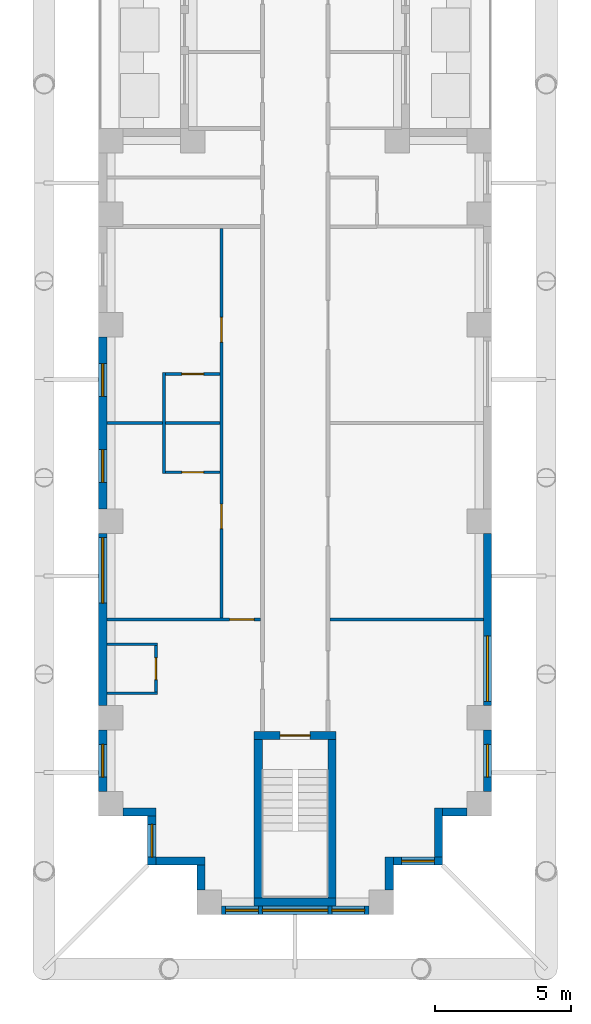
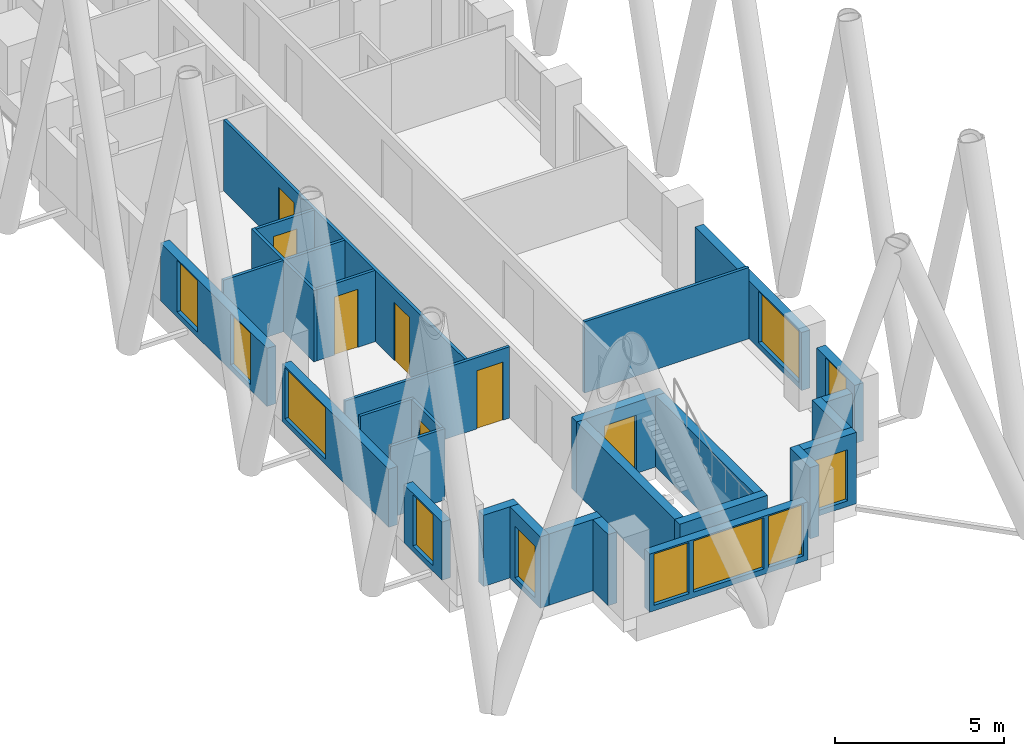
# One storey, part 3 of 14: 28 walls, 11 windows, 7 doors, 18 openings.
"""IFC4 building model written with IfcOpenShell, lengths in metres."""

from ifc_helpers import new_model, si_unit, direction, frame, frame_2d, origin, place, context, subcontext, project, spatial, rectangle, extrude, material, layer, layer_set, type_object, element, fill, save


model = new_model("IFC4")

# Units and contexts
model_context = context("Model", 3, precision=1e-05, world=origin(), true_north=direction((0.0, 1.0)))
body_context = subcontext(model_context, "Body", "Model", "MODEL_VIEW")
ifc_project = project(units=[si_unit("LENGTHUNIT", "METRE"), si_unit("AREAUNIT", "SQUARE_METRE"), si_unit("VOLUMEUNIT", "CUBIC_METRE"), si_unit("PLANEANGLEUNIT", "RADIAN"), si_unit("MASSUNIT", "GRAM", prefix="KILO")], contexts=[model_context])

# Site, building, storey
site_placement = place(None, origin())
site = spatial("IfcSite", under=ifc_project, at=site_placement, CompositionType="ELEMENT")
building_placement = place(site_placement, origin())
building = spatial("IfcBuilding", under=site, at=building_placement, Name="Fustian Cross Tower", CompositionType="ELEMENT")
storey_placement = place(building_placement, frame((0.0, 0.0, 78.89990234375)))
storey = spatial("IfcBuildingStorey", under=building, at=storey_placement, Name="L24", CompositionType="ELEMENT", Elevation=78.89990234375)

# Walls
ifc_material_1 = material(Name="Plasterboard on steel stud", Category="steel")
ifc_layer_1 = layer(ifc_material_1, 0.10009765625)
ifc_layer_set_1 = layer_set([ifc_layer_1], Name="Plasterboard on steel stud")
wall_type_1 = type_object("IfcWallType", Name="PARTITION 100 STUD", PredefinedType="PARTITIONING", material=ifc_layer_set_1)
for number, where, z_axis, x_axis, name in (
    (1, (-6.89990234375, -35.10009765625, 0.0), (0.0, 0.0, 1.0), (1.0, 0.0, 0.0), "Partition 13"),
    (2, (-6.89990234375, -33.300048828125, 0.0), (0.0, 0.0, 1.0), (1.0, 0.0, 0.0), "Partition 14"),
):
    element("IfcWall", number, at=place(storey_placement, frame(where, z_axis=z_axis, x_axis=x_axis)), inside=storey, type_object=wall_type_1, Name=name, PredefinedType="PARTITIONING", context=body_context, shape_type="SweptSolid", body=[
        extrude(rectangle(XDim=1.849853515625, YDim=0.10009765625, at=frame_2d((0.9248046875, 0.0))), origin(), (0.0, 0.0, 1.0), 2.5751953125),
    ])

# Wall, opening, door
wall_1_placement = place(storey_placement, frame((-6.89990234375, -32.39990234375, 0.0), z_axis=(0.0, 0.0, 1.0), x_axis=(1.0, 0.0, 0.0)))
wall_1 = element("IfcWall", 3, at=wall_1_placement, inside=storey, type_object=wall_type_1, Name="Partition 15", PredefinedType="PARTITIONING", context=body_context, shape_type="SweptSolid", body=[
    extrude(rectangle(XDim=5.625, YDim=0.10009765625, at=frame_2d((2.8125, 0.0))), origin(), (0.0, 0.0, 1.0), 2.5751953125),
])
opening_1_placement = place(wall_1_placement, frame((4.5, 0.0, 0.0)))
opening_1 = element("IfcOpeningElement", 4, at=opening_1_placement, cuts=wall_1, Name="Opening D12052", PredefinedType="OPENING", context=body_context, shape_type="SweptSolid", body=[
    extrude(rectangle(XDim=0.89990234375, YDim=2.10009765625, at=frame_2d((0.449951171875, 1.050048828125))), frame((0.0, 0.06005859375, 0.0), z_axis=(0.0, -1.0, 0.0), x_axis=(1.0, 0.0, 0.0)), (0.0, 0.0, 1.0), 0.1201171875),
])
ifc_material_2 = material(Name="Painted timber", Category="wood")
door_type_1 = type_object("IfcDoorType", Name="SWING DOOR 900", OperationType="SINGLE_SWING_LEFT", PredefinedType="DOOR", material=ifc_material_2)
door_1_placement = place(opening_1_placement, origin())
door_1 = element("IfcDoor", 5, at=door_1_placement, inside=storey, type_object=door_type_1, Name="Door D12052", OperationType="SINGLE_SWING_LEFT", OverallHeight=2.10009765625, OverallWidth=0.89990234375, PredefinedType="DOOR", context=body_context, shape_type="SweptSolid", body=[
    extrude(rectangle(XDim=0.89990234375, YDim=2.10009765625, at=frame_2d((0.449951171875, 1.050048828125))), frame((0.0, 0.02490234375, 0.0), z_axis=(0.0, -1.0, 0.0), x_axis=(1.0, 0.0, 0.0)), (0.0, 0.0, 1.0), 0.050048828125),
])
fill(opening_1, door_1)

# Wall
wall_2_placement = place(storey_placement, frame((-6.89990234375, -25.199951171875, 0.0), z_axis=(0.0, 0.0, 1.0), x_axis=(1.0, 0.0, 0.0)))
element("IfcWall", 6, at=wall_2_placement, inside=storey, type_object=wall_type_1, Name="Partition 16", PredefinedType="PARTITIONING", context=body_context, shape_type="SweptSolid", body=[
    extrude(rectangle(XDim=4.14990234375, YDim=0.10009765625, at=frame_2d((2.074951171875, 0.0))), origin(), (0.0, 0.0, 1.0), 2.5751953125),
])

# Wall, opening, door
wall_3_placement = place(storey_placement, frame((-5.10009765625, -35.050048828125, 0.0), z_axis=(0.0, 0.0, 1.0), x_axis=(0.0, 1.0, 0.0)))
wall_3 = element("IfcWall", 7, at=wall_3_placement, inside=storey, type_object=wall_type_1, Name="Partition 20", PredefinedType="PARTITIONING", context=body_context, shape_type="SweptSolid", body=[
    extrude(rectangle(XDim=1.699951171875, YDim=0.10009765625, at=frame_2d((0.85009765625, 0.0))), origin(), (0.0, 0.0, 1.0), 2.5751953125),
])
opening_2_placement = place(wall_3_placement, frame((0.449951171875, 0.0, 0.0)))
opening_2 = element("IfcOpeningElement", 8, at=opening_2_placement, cuts=wall_3, Name="Opening D12048", PredefinedType="OPENING", context=body_context, shape_type="SweptSolid", body=[
    extrude(rectangle(XDim=0.800048828125, YDim=2.10009765625, at=frame_2d((0.39990234375, 1.050048828125))), frame((0.0, 0.06005859375, 0.0), z_axis=(0.0, -1.0, 0.0), x_axis=(1.0, 0.0, 0.0)), (0.0, 0.0, 1.0), 0.1201171875),
])
ifc_material_3 = material(Name="Painted timber", Category="wood")
door_type_2 = type_object("IfcDoorType", Name="SWING DOOR 800", OperationType="SINGLE_SWING_LEFT", PredefinedType="DOOR", material=ifc_material_3)
door_2_placement = place(opening_2_placement, origin())
door_2 = element("IfcDoor", 9, at=door_2_placement, inside=storey, type_object=door_type_2, Name="Door D12048", OperationType="SINGLE_SWING_RIGHT", OverallHeight=2.10009765625, OverallWidth=0.800048828125, PredefinedType="DOOR", context=body_context, shape_type="SweptSolid", body=[
    extrude(rectangle(XDim=0.800048828125, YDim=2.10009765625, at=frame_2d((0.39990234375, 1.050048828125))), frame((0.0, 0.02490234375, 0.0), z_axis=(0.0, -1.0, 0.0), x_axis=(1.0, 0.0, 0.0)), (0.0, 0.0, 1.0), 0.050048828125),
])
fill(opening_2, door_2)

# Wall
wall_4_placement = place(storey_placement, frame((-4.800048828125, -27.050048828125, 0.0), z_axis=(0.0, 0.0, 1.0), x_axis=(0.0, 1.0, 0.0)))
element("IfcWall", 10, at=wall_4_placement, inside=storey, type_object=wall_type_1, Name="Partition 22", PredefinedType="PARTITIONING", context=body_context, shape_type="SweptSolid", body=[
    extrude(rectangle(XDim=3.699951171875, YDim=0.10009765625, at=frame_2d((1.85009765625, 0.0))), origin(), (0.0, 0.0, 1.0), 2.5751953125),
])

# Wall, opening, door
wall_5_placement = place(storey_placement, frame((-4.75, -27.0, 0.0), z_axis=(0.0, 0.0, 1.0), x_axis=(1.0, 0.0, 0.0)))
wall_5 = element("IfcWall", 11, at=wall_5_placement, inside=storey, type_object=wall_type_1, Name="Partition 23", PredefinedType="PARTITIONING", context=body_context, shape_type="SweptSolid", body=[
    extrude(rectangle(XDim=2.0, YDim=0.10009765625, at=frame_2d((1.0, 0.0))), origin(), (0.0, 0.0, 1.0), 2.5751953125),
])
opening_3_placement = place(wall_5_placement, frame((0.60009765625, 0.0, 0.0)))
opening_3 = element("IfcOpeningElement", 12, at=opening_3_placement, cuts=wall_5, Name="Opening D12054", PredefinedType="OPENING", context=body_context, shape_type="SweptSolid", body=[
    extrude(rectangle(XDim=0.800048828125, YDim=2.10009765625, at=frame_2d((0.39990234375, 1.050048828125))), frame((0.0, 0.06005859375, 0.0), z_axis=(0.0, -1.0, 0.0), x_axis=(1.0, 0.0, 0.0)), (0.0, 0.0, 1.0), 0.1201171875),
])
door_3_placement = place(opening_3_placement, origin())
door_3 = element("IfcDoor", 13, at=door_3_placement, inside=storey, type_object=door_type_2, Name="Door D12054", OperationType="SINGLE_SWING_LEFT", OverallHeight=2.10009765625, OverallWidth=0.800048828125, PredefinedType="DOOR", context=body_context, shape_type="SweptSolid", body=[
    extrude(rectangle(XDim=0.800048828125, YDim=2.10009765625, at=frame_2d((0.39990234375, 1.050048828125))), frame((0.0, 0.02490234375, 0.0), z_axis=(0.0, -1.0, 0.0), x_axis=(1.0, 0.0, 0.0)), (0.0, 0.0, 1.0), 0.050048828125),
])
fill(opening_3, door_3)

wall_6_placement = place(storey_placement, frame((-4.75, -23.39990234375, 0.0), z_axis=(0.0, 0.0, 1.0), x_axis=(1.0, 0.0, 0.0)))
wall_6 = element("IfcWall", 14, at=wall_6_placement, inside=storey, type_object=wall_type_1, Name="Partition 24", PredefinedType="PARTITIONING", context=body_context, shape_type="SweptSolid", body=[
    extrude(rectangle(XDim=2.0, YDim=0.10009765625, at=frame_2d((1.0, 0.0))), origin(), (0.0, 0.0, 1.0), 2.5751953125),
])
opening_4_placement = place(wall_6_placement, frame((0.60009765625, 0.0, 0.0)))
opening_4 = element("IfcOpeningElement", 15, at=opening_4_placement, cuts=wall_6, Name="Opening D12053", PredefinedType="OPENING", context=body_context, shape_type="SweptSolid", body=[
    extrude(rectangle(XDim=0.800048828125, YDim=2.10009765625, at=frame_2d((0.39990234375, 1.050048828125))), frame((0.0, 0.06005859375, 0.0), z_axis=(0.0, -1.0, 0.0), x_axis=(1.0, 0.0, 0.0)), (0.0, 0.0, 1.0), 0.1201171875),
])
door_4_placement = place(opening_4_placement, frame((0.800048828125, 0.0, 0.0), z_axis=(0.0, 0.0, 1.0), x_axis=(-1.0, 0.0, 0.0)))
door_4 = element("IfcDoor", 16, at=door_4_placement, inside=storey, type_object=door_type_2, Name="Door D12053", OperationType="SINGLE_SWING_RIGHT", OverallHeight=2.10009765625, OverallWidth=0.800048828125, PredefinedType="DOOR", context=body_context, shape_type="SweptSolid", body=[
    extrude(rectangle(XDim=0.800048828125, YDim=2.10009765625, at=frame_2d((0.39990234375, 1.050048828125))), frame((0.0, 0.02490234375, 0.0), z_axis=(0.0, -1.0, 0.0), x_axis=(1.0, 0.0, 0.0)), (0.0, 0.0, 1.0), 0.050048828125),
])
fill(opening_4, door_4)

# Wall, openings, doors
wall_7_placement = place(storey_placement, frame((-2.699951171875, -32.35009765625, 0.0), z_axis=(0.0, 0.0, 1.0), x_axis=(0.0, 1.0, 0.0)))
wall_7 = element("IfcWall", 17, at=wall_7_placement, inside=storey, type_object=wall_type_1, Name="Partition 33", PredefinedType="PARTITIONING", context=body_context, shape_type="SweptSolid", body=[
    extrude(rectangle(XDim=14.275146484375, YDim=0.10009765625, at=frame_2d((7.1376953125, 0.0))), origin(), (0.0, 0.0, 1.0), 2.5751953125),
])
opening_5_placement = place(wall_7_placement, frame((3.280029296875, 0.0, 0.0)))
opening_5 = element("IfcOpeningElement", 18, at=opening_5_placement, cuts=wall_7, Name="Opening D12050", PredefinedType="OPENING", context=body_context, shape_type="SweptSolid", body=[
    extrude(rectangle(XDim=0.89990234375, YDim=2.10009765625, at=frame_2d((0.449951171875, 1.050048828125))), frame((0.0, 0.06005859375, 0.0), z_axis=(0.0, -1.0, 0.0), x_axis=(1.0, 0.0, 0.0)), (0.0, 0.0, 1.0), 0.1201171875),
])
opening_6_placement = place(wall_7_placement, frame((10.119873046875, 0.0, 0.0)))
opening_6 = element("IfcOpeningElement", 19, at=opening_6_placement, cuts=wall_7, Name="Opening D12051", PredefinedType="OPENING", context=body_context, shape_type="SweptSolid", body=[
    extrude(rectangle(XDim=0.89990234375, YDim=2.10009765625, at=frame_2d((0.449951171875, 1.050048828125))), frame((0.0, 0.06005859375, 0.0), z_axis=(0.0, -1.0, 0.0), x_axis=(1.0, 0.0, 0.0)), (0.0, 0.0, 1.0), 0.1201171875),
])
door_5_placement = place(opening_5_placement, frame((0.89990234375, 0.0, 0.0), z_axis=(0.0, 0.0, 1.0), x_axis=(-1.0, 0.0, 0.0)))
door_5 = element("IfcDoor", 20, at=door_5_placement, inside=storey, type_object=door_type_1, Name="Door D12050", OperationType="SINGLE_SWING_RIGHT", OverallHeight=2.10009765625, OverallWidth=0.89990234375, PredefinedType="DOOR", context=body_context, shape_type="SweptSolid", body=[
    extrude(rectangle(XDim=0.89990234375, YDim=2.10009765625, at=frame_2d((0.449951171875, 1.050048828125))), frame((0.0, 0.02490234375, 0.0), z_axis=(0.0, -1.0, 0.0), x_axis=(1.0, 0.0, 0.0)), (0.0, 0.0, 1.0), 0.050048828125),
])
fill(opening_5, door_5)
door_6_placement = place(opening_6_placement, frame((0.89990234375, 0.0, 0.0), z_axis=(0.0, 0.0, 1.0), x_axis=(-1.0, 0.0, 0.0)))
door_6 = element("IfcDoor", 21, at=door_6_placement, inside=storey, type_object=door_type_1, Name="Door D12051", OperationType="SINGLE_SWING_LEFT", OverallHeight=2.10009765625, OverallWidth=0.89990234375, PredefinedType="DOOR", context=body_context, shape_type="SweptSolid", body=[
    extrude(rectangle(XDim=0.89990234375, YDim=2.10009765625, at=frame_2d((0.449951171875, 1.050048828125))), frame((0.0, 0.02490234375, 0.0), z_axis=(0.0, -1.0, 0.0), x_axis=(1.0, 0.0, 0.0)), (0.0, 0.0, 1.0), 0.050048828125),
])
fill(opening_6, door_6)

# Wall
wall_8_placement = place(storey_placement, frame((1.27490234375, -32.39990234375, 0.0), z_axis=(0.0, 0.0, 1.0), x_axis=(1.0, 0.0, 0.0)))
element("IfcWall", 22, at=wall_8_placement, inside=storey, type_object=wall_type_1, Name="Partition 37", PredefinedType="PARTITIONING", context=body_context, shape_type="SweptSolid", body=[
    extrude(rectangle(XDim=5.625, YDim=0.10009765625, at=frame_2d((2.8125, 0.0))), origin(), (0.0, 0.0, 1.0), 2.5751953125),
])

# Wall, opening, door
ifc_material_4 = material(Name="Concrete C50/60", Category="concrete")
ifc_layer_2 = layer(ifc_material_4, 0.300048828125)
ifc_layer_set_2 = layer_set([ifc_layer_2], Name="Concrete C50/60")
wall_type_2 = type_object("IfcWallType", Name="STAIR ENCLOSURE WALL 300 C50/60", PredefinedType="SHEAR", material=ifc_layer_set_2)
wall_9_placement = place(storey_placement, frame((-1.5, -36.64990234375, 0.0), z_axis=(0.0, 0.0, 1.0), x_axis=(1.0, 0.0, 0.0)))
wall_9 = element("IfcWall", 23, at=wall_9_placement, inside=storey, type_object=wall_type_2, Name="Stair enclosure wall", PredefinedType="SHEAR", context=body_context, shape_type="SweptSolid", body=[
    extrude(rectangle(XDim=3.0, YDim=0.300048828125, at=frame_2d((1.5, 0.0))), origin(), (0.0, 0.0, 1.0), 2.5751953125),
])
opening_7_placement = place(wall_9_placement, frame((0.949951171875, 0.0, 0.0)))
opening_7 = element("IfcOpeningElement", 24, at=opening_7_placement, cuts=wall_9, Name="Opening CD-10-31", PredefinedType="OPENING", context=body_context, shape_type="SweptSolid", body=[
    extrude(rectangle(XDim=1.10009765625, YDim=2.10009765625, at=frame_2d((0.550048828125, 1.050048828125))), frame((0.0, 0.159912109375, 0.0), z_axis=(0.0, -1.0, 0.0), x_axis=(1.0, 0.0, 0.0)), (0.0, 0.0, 1.0), 0.320068359375),
])
ifc_material_5 = material(Name="Steel", Category="steel")
door_type_3 = type_object("IfcDoorType", Name="FIRE DOOR FD60S 1100X2100", OperationType="SINGLE_SWING_LEFT", PredefinedType="DOOR", material=ifc_material_5)
door_7_placement = place(opening_7_placement, frame((1.10009765625, 0.0, 0.0), z_axis=(0.0, 0.0, 1.0), x_axis=(-1.0, 0.0, 0.0)))
door_7 = element("IfcDoor", 25, at=door_7_placement, inside=storey, type_object=door_type_3, Name="Core door CD-10-31", OperationType="SINGLE_SWING_RIGHT", OverallHeight=2.10009765625, OverallWidth=1.10009765625, PredefinedType="DOOR", context=body_context, shape_type="SweptSolid", body=[
    extrude(rectangle(XDim=1.10009765625, YDim=2.10009765625, at=frame_2d((0.550048828125, 1.050048828125))), frame((0.0, 0.02490234375, 0.0), z_axis=(0.0, -1.0, 0.0), x_axis=(1.0, 0.0, 0.0)), (0.0, 0.0, 1.0), 0.050048828125),
])
fill(opening_7, door_7)

# Walls
wall_10_placement = place(storey_placement, frame((-1.5, -42.75, 0.0), z_axis=(0.0, 0.0, 1.0), x_axis=(1.0, 0.0, 0.0)))
element("IfcWall", 26, at=wall_10_placement, inside=storey, type_object=wall_type_2, Name="Stair enclosure wall", PredefinedType="SHEAR", context=body_context, shape_type="SweptSolid", body=[
    extrude(rectangle(XDim=3.0, YDim=0.300048828125, at=frame_2d((1.5, 0.0))), origin(), (0.0, 0.0, 1.0), 2.5751953125),
])
for number, where, z_axis, x_axis, name in (
    (27, (-1.35009765625, -36.800048828125, 0.0), (0.0, 0.0, 1.0), (0.0, -1.0, 0.0), "Stair enclosure wall"),
    (28, (1.35009765625, -36.800048828125, 0.0), (0.0, 0.0, 1.0), (0.0, -1.0, 0.0), "Stair enclosure wall"),
):
    element("IfcWall", number, at=place(storey_placement, frame(where, z_axis=z_axis, x_axis=x_axis)), inside=storey, type_object=wall_type_2, Name=name, PredefinedType="SHEAR", context=body_context, shape_type="SweptSolid", body=[
        extrude(rectangle(XDim=5.800048828125, YDim=0.300048828125, at=frame_2d((2.89990234375, 0.0))), origin(), (0.0, 0.0, 1.0), 2.5751953125),
    ])

# Wall, openings, windows
ifc_material_6 = material(Name="Dark aluminium cladding on insulated backing wall", Category="aluminium")
ifc_layer_3 = layer(ifc_material_6, 0.300048828125)
ifc_layer_set_3 = layer_set([ifc_layer_3], Name="Dark aluminium cladding on insulated backing wall")
wall_type_3 = type_object("IfcWallType", Name="XW1 EXTERNAL WALL 300", PredefinedType="SOLIDWALL", material=ifc_layer_set_3)
wall_11_placement = place(storey_placement, frame((-7.050048828125, -22.050048828125, 0.0), z_axis=(0.0, 0.0, 1.0), x_axis=(0.0, -1.0, 0.0)))
wall_11 = element("IfcWall", 29, at=wall_11_placement, inside=storey, type_object=wall_type_3, Name="External wall", PredefinedType="SOLIDWALL", context=body_context, shape_type="SweptSolid", body=[
    extrude(rectangle(XDim=6.300048828125, YDim=0.300048828125, at=frame_2d((3.14990234375, 0.0))), origin(), (0.0, 0.0, 1.0), 2.10009765625),
])
opening_8_placement = place(wall_11_placement, frame((0.97509765625, 0.0, 0.199951171875)))
opening_8 = element("IfcOpeningElement", 30, at=opening_8_placement, cuts=wall_11, Name="Opening WN3", PredefinedType="OPENING", context=body_context, shape_type="SweptSolid", body=[
    extrude(rectangle(XDim=1.199951171875, YDim=1.85009765625, at=frame_2d((0.60009765625, 0.925048828125))), frame((0.0, 0.159912109375, 0.0), z_axis=(0.0, -1.0, 0.0), x_axis=(1.0, 0.0, 0.0)), (0.0, 0.0, 1.0), 0.320068359375),
])
opening_9_placement = place(wall_11_placement, frame((4.125, 0.0, 0.199951171875)))
opening_9 = element("IfcOpeningElement", 31, at=opening_9_placement, cuts=wall_11, Name="Opening WN3", PredefinedType="OPENING", context=body_context, shape_type="SweptSolid", body=[
    extrude(rectangle(XDim=1.199951171875, YDim=1.85009765625, at=frame_2d((0.60009765625, 0.925048828125))), frame((0.0, 0.159912109375, 0.0), z_axis=(0.0, -1.0, 0.0), x_axis=(1.0, 0.0, 0.0)), (0.0, 0.0, 1.0), 0.320068359375),
])
ifc_material_7 = material(Name="Dark anodised aluminium and double glazing", Category="aluminium")
window_type_1 = type_object("IfcWindowType", Name="WN3 WINDOW 1200X1850", PartitioningType="SINGLE_PANEL", PredefinedType="WINDOW", material=ifc_material_7)
window_1_placement = place(opening_8_placement, origin())
window_1 = element("IfcWindow", 32, at=window_1_placement, inside=storey, type_object=window_type_1, Name="Window", OverallHeight=1.85009765625, OverallWidth=1.199951171875, PartitioningType="SINGLE_PANEL", PredefinedType="WINDOW", context=body_context, shape_type="SweptSolid", body=[
    extrude(rectangle(XDim=1.199951171875, YDim=1.85009765625, at=frame_2d((0.60009765625, 0.925048828125))), frame((0.0, 0.030029296875, 0.0), z_axis=(0.0, -1.0, 0.0), x_axis=(1.0, 0.0, 0.0)), (0.0, 0.0, 1.0), 0.06005859375),
])
fill(opening_8, window_1)
window_2_placement = place(opening_9_placement, origin())
window_2 = element("IfcWindow", 33, at=window_2_placement, inside=storey, type_object=window_type_1, Name="Window", OverallHeight=1.85009765625, OverallWidth=1.199951171875, PartitioningType="SINGLE_PANEL", PredefinedType="WINDOW", context=body_context, shape_type="SweptSolid", body=[
    extrude(rectangle(XDim=1.199951171875, YDim=1.85009765625, at=frame_2d((0.60009765625, 0.925048828125))), frame((0.0, 0.030029296875, 0.0), z_axis=(0.0, -1.0, 0.0), x_axis=(1.0, 0.0, 0.0)), (0.0, 0.0, 1.0), 0.06005859375),
])
fill(opening_9, window_2)

# Wall, opening, window
wall_12_placement = place(storey_placement, frame((-7.050048828125, -29.25, 0.0), z_axis=(0.0, 0.0, 1.0), x_axis=(0.0, -1.0, 0.0)))
wall_12 = element("IfcWall", 34, at=wall_12_placement, inside=storey, type_object=wall_type_3, Name="External wall", PredefinedType="SOLIDWALL", context=body_context, shape_type="SweptSolid", body=[
    extrude(rectangle(XDim=6.300048828125, YDim=0.300048828125, at=frame_2d((3.14990234375, 0.0))), origin(), (0.0, 0.0, 1.0), 2.10009765625),
])
opening_10_placement = place(wall_12_placement, frame((0.14990234375, 0.0, 0.199951171875)))
opening_10 = element("IfcOpeningElement", 35, at=opening_10_placement, cuts=wall_12, Name="Opening WN1", PredefinedType="OPENING", context=body_context, shape_type="SweptSolid", body=[
    extrude(rectangle(XDim=2.39990234375, YDim=1.85009765625, at=frame_2d((1.199951171875, 0.925048828125))), frame((0.0, 0.159912109375, 0.0), z_axis=(0.0, -1.0, 0.0), x_axis=(1.0, 0.0, 0.0)), (0.0, 0.0, 1.0), 0.320068359375),
])
ifc_material_8 = material(Name="Dark anodised aluminium and double glazing", Category="aluminium")
window_type_2 = type_object("IfcWindowType", Name="WN1 WINDOW 2400X1850", PartitioningType="SINGLE_PANEL", PredefinedType="WINDOW", material=ifc_material_8)
window_3_placement = place(opening_10_placement, origin())
window_3 = element("IfcWindow", 36, at=window_3_placement, inside=storey, type_object=window_type_2, Name="Window", OverallHeight=1.85009765625, OverallWidth=2.39990234375, PartitioningType="SINGLE_PANEL", PredefinedType="WINDOW", context=body_context, shape_type="SweptSolid", body=[
    extrude(rectangle(XDim=2.39990234375, YDim=1.85009765625, at=frame_2d((1.199951171875, 0.925048828125))), frame((0.0, 0.030029296875, 0.0), z_axis=(0.0, -1.0, 0.0), x_axis=(1.0, 0.0, 0.0)), (0.0, 0.0, 1.0), 0.06005859375),
])
fill(opening_10, window_3)

wall_13_placement = place(storey_placement, frame((-7.050048828125, -36.449951171875, 0.0), z_axis=(0.0, 0.0, 1.0), x_axis=(0.0, -1.0, 0.0)))
wall_13 = element("IfcWall", 37, at=wall_13_placement, inside=storey, type_object=wall_type_3, Name="External wall", PredefinedType="SOLIDWALL", context=body_context, shape_type="SweptSolid", body=[
    extrude(rectangle(XDim=2.25, YDim=0.300048828125, at=frame_2d((1.125, 0.0))), origin(), (0.0, 0.0, 1.0), 2.10009765625),
])
opening_11_placement = place(wall_13_placement, frame((0.52490234375, 0.0, 0.199951171875)))
opening_11 = element("IfcOpeningElement", 38, at=opening_11_placement, cuts=wall_13, Name="Opening WN3", PredefinedType="OPENING", context=body_context, shape_type="SweptSolid", body=[
    extrude(rectangle(XDim=1.199951171875, YDim=1.85009765625, at=frame_2d((0.60009765625, 0.925048828125))), frame((0.0, 0.159912109375, 0.0), z_axis=(0.0, -1.0, 0.0), x_axis=(1.0, 0.0, 0.0)), (0.0, 0.0, 1.0), 0.320068359375),
])
window_4_placement = place(opening_11_placement, origin())
window_4 = element("IfcWindow", 39, at=window_4_placement, inside=storey, type_object=window_type_1, Name="Window", OverallHeight=1.85009765625, OverallWidth=1.199951171875, PartitioningType="SINGLE_PANEL", PredefinedType="WINDOW", context=body_context, shape_type="SweptSolid", body=[
    extrude(rectangle(XDim=1.199951171875, YDim=1.85009765625, at=frame_2d((0.60009765625, 0.925048828125))), frame((0.0, 0.030029296875, 0.0), z_axis=(0.0, -1.0, 0.0), x_axis=(1.0, 0.0, 0.0)), (0.0, 0.0, 1.0), 0.06005859375),
])
fill(opening_11, window_4)

# Wall
wall_14_placement = place(storey_placement, frame((-6.300048828125, -39.449951171875, 0.0), z_axis=(0.0, 0.0, 1.0), x_axis=(1.0, 0.0, 0.0)))
element("IfcWall", 40, at=wall_14_placement, inside=storey, type_object=wall_type_3, Name="External wall", PredefinedType="SOLIDWALL", context=body_context, shape_type="SweptSolid", body=[
    extrude(rectangle(XDim=1.199951171875, YDim=0.300048828125, at=frame_2d((0.60009765625, 0.0))), origin(), (0.0, 0.0, 1.0), 2.5751953125),
])

# Wall, opening, window
wall_15_placement = place(storey_placement, frame((-5.25, -39.60009765625, 0.0), z_axis=(0.0, 0.0, 1.0), x_axis=(0.0, -1.0, 0.0)))
wall_15 = element("IfcWall", 41, at=wall_15_placement, inside=storey, type_object=wall_type_3, Name="External wall", PredefinedType="SOLIDWALL", context=body_context, shape_type="SweptSolid", body=[
    extrude(rectangle(XDim=1.7998046875, YDim=0.300048828125, at=frame_2d((0.89990234375, 0.0))), origin(), (0.0, 0.0, 1.0), 2.5751953125),
])
opening_12_placement = place(wall_15_placement, frame((0.300048828125, 0.0, 0.199951171875)))
opening_12 = element("IfcOpeningElement", 42, at=opening_12_placement, cuts=wall_15, Name="Opening WN3", PredefinedType="OPENING", context=body_context, shape_type="SweptSolid", body=[
    extrude(rectangle(XDim=1.199951171875, YDim=1.85009765625, at=frame_2d((0.60009765625, 0.925048828125))), frame((0.0, 0.159912109375, 0.0), z_axis=(0.0, -1.0, 0.0), x_axis=(1.0, 0.0, 0.0)), (0.0, 0.0, 1.0), 0.320068359375),
])
window_5_placement = place(opening_12_placement, origin())
window_5 = element("IfcWindow", 43, at=window_5_placement, inside=storey, type_object=window_type_1, Name="Window", OverallHeight=1.85009765625, OverallWidth=1.199951171875, PartitioningType="SINGLE_PANEL", PredefinedType="WINDOW", context=body_context, shape_type="SweptSolid", body=[
    extrude(rectangle(XDim=1.199951171875, YDim=1.85009765625, at=frame_2d((0.60009765625, 0.925048828125))), frame((0.0, 0.030029296875, 0.0), z_axis=(0.0, -1.0, 0.0), x_axis=(1.0, 0.0, 0.0)), (0.0, 0.0, 1.0), 0.06005859375),
])
fill(opening_12, window_5)

# Walls
wall_16_placement = place(storey_placement, frame((-5.10009765625, -41.25, 0.0), z_axis=(0.0, 0.0, 1.0), x_axis=(1.0, 0.0, 0.0)))
element("IfcWall", 44, at=wall_16_placement, inside=storey, type_object=wall_type_3, Name="External wall", PredefinedType="SOLIDWALL", context=body_context, shape_type="SweptSolid", body=[
    extrude(rectangle(XDim=1.800048828125, YDim=0.300048828125, at=frame_2d((0.89990234375, 0.0))), origin(), (0.0, 0.0, 1.0), 2.5751953125),
])
wall_17_placement = place(storey_placement, frame((-3.449951171875, -41.39990234375, 0.0), z_axis=(0.0, 0.0, 1.0), x_axis=(0.0, -1.0, 0.0)))
element("IfcWall", 45, at=wall_17_placement, inside=storey, type_object=wall_type_3, Name="External wall", PredefinedType="SOLIDWALL", context=body_context, shape_type="SweptSolid", body=[
    extrude(rectangle(XDim=0.900146484375, YDim=0.300048828125, at=frame_2d((0.4501953125, 0.0))), origin(), (0.0, 0.0, 1.0), 2.5751953125),
])

# Wall, openings, windows
wall_18_placement = place(storey_placement, frame((-2.699951171875, -43.050048828125, 0.0), z_axis=(0.0, 0.0, 1.0), x_axis=(1.0, 0.0, 0.0)))
wall_18 = element("IfcWall", 46, at=wall_18_placement, inside=storey, type_object=wall_type_3, Name="External wall", PredefinedType="SOLIDWALL", context=body_context, shape_type="SweptSolid", body=[
    extrude(rectangle(XDim=5.39990234375, YDim=0.300048828125, at=frame_2d((2.699951171875, 0.0))), origin(), (0.0, 0.0, 1.0), 2.10009765625),
])
opening_13_placement = place(wall_18_placement, frame((1.5, 0.0, 0.199951171875)))
opening_13 = element("IfcOpeningElement", 47, at=opening_13_placement, cuts=wall_18, Name="Opening WN1", PredefinedType="OPENING", context=body_context, shape_type="SweptSolid", body=[
    extrude(rectangle(XDim=2.39990234375, YDim=1.85009765625, at=frame_2d((1.199951171875, 0.925048828125))), frame((0.0, 0.159912109375, 0.0), z_axis=(0.0, -1.0, 0.0), x_axis=(1.0, 0.0, 0.0)), (0.0, 0.0, 1.0), 0.320068359375),
])
opening_14_placement = place(wall_18_placement, frame((0.14990234375, 0.0, 0.199951171875)))
opening_14 = element("IfcOpeningElement", 48, at=opening_14_placement, cuts=wall_18, Name="Opening WN3", PredefinedType="OPENING", context=body_context, shape_type="SweptSolid", body=[
    extrude(rectangle(XDim=1.199951171875, YDim=1.85009765625, at=frame_2d((0.60009765625, 0.925048828125))), frame((0.0, 0.159912109375, 0.0), z_axis=(0.0, -1.0, 0.0), x_axis=(1.0, 0.0, 0.0)), (0.0, 0.0, 1.0), 0.320068359375),
])
opening_15_placement = place(wall_18_placement, frame((4.050048828125, 0.0, 0.199951171875)))
opening_15 = element("IfcOpeningElement", 49, at=opening_15_placement, cuts=wall_18, Name="Opening WN3", PredefinedType="OPENING", context=body_context, shape_type="SweptSolid", body=[
    extrude(rectangle(XDim=1.199951171875, YDim=1.85009765625, at=frame_2d((0.60009765625, 0.925048828125))), frame((0.0, 0.159912109375, 0.0), z_axis=(0.0, -1.0, 0.0), x_axis=(1.0, 0.0, 0.0)), (0.0, 0.0, 1.0), 0.320068359375),
])
window_6_placement = place(opening_13_placement, origin())
window_6 = element("IfcWindow", 50, at=window_6_placement, inside=storey, type_object=window_type_2, Name="Window", OverallHeight=1.85009765625, OverallWidth=2.39990234375, PartitioningType="SINGLE_PANEL", PredefinedType="WINDOW", context=body_context, shape_type="SweptSolid", body=[
    extrude(rectangle(XDim=2.39990234375, YDim=1.85009765625, at=frame_2d((1.199951171875, 0.925048828125))), frame((0.0, 0.030029296875, 0.0), z_axis=(0.0, -1.0, 0.0), x_axis=(1.0, 0.0, 0.0)), (0.0, 0.0, 1.0), 0.06005859375),
])
fill(opening_13, window_6)
window_7_placement = place(opening_14_placement, origin())
window_7 = element("IfcWindow", 51, at=window_7_placement, inside=storey, type_object=window_type_1, Name="Window", OverallHeight=1.85009765625, OverallWidth=1.199951171875, PartitioningType="SINGLE_PANEL", PredefinedType="WINDOW", context=body_context, shape_type="SweptSolid", body=[
    extrude(rectangle(XDim=1.199951171875, YDim=1.85009765625, at=frame_2d((0.60009765625, 0.925048828125))), frame((0.0, 0.030029296875, 0.0), z_axis=(0.0, -1.0, 0.0), x_axis=(1.0, 0.0, 0.0)), (0.0, 0.0, 1.0), 0.06005859375),
])
fill(opening_14, window_7)
window_8_placement = place(opening_15_placement, origin())
window_8 = element("IfcWindow", 52, at=window_8_placement, inside=storey, type_object=window_type_1, Name="Window", OverallHeight=1.85009765625, OverallWidth=1.199951171875, PartitioningType="SINGLE_PANEL", PredefinedType="WINDOW", context=body_context, shape_type="SweptSolid", body=[
    extrude(rectangle(XDim=1.199951171875, YDim=1.85009765625, at=frame_2d((0.60009765625, 0.925048828125))), frame((0.0, 0.030029296875, 0.0), z_axis=(0.0, -1.0, 0.0), x_axis=(1.0, 0.0, 0.0)), (0.0, 0.0, 1.0), 0.06005859375),
])
fill(opening_15, window_8)

# Wall
wall_19_placement = place(storey_placement, frame((3.449951171875, -42.300048828125, 0.0), z_axis=(0.0, 0.0, 1.0), x_axis=(0.0, 1.0, 0.0)))
element("IfcWall", 53, at=wall_19_placement, inside=storey, type_object=wall_type_3, Name="External wall", PredefinedType="SOLIDWALL", context=body_context, shape_type="SweptSolid", body=[
    extrude(rectangle(XDim=1.199951171875, YDim=0.300048828125, at=frame_2d((0.60009765625, 0.0))), origin(), (0.0, 0.0, 1.0), 2.5751953125),
])

# Wall, opening, window
wall_20_placement = place(storey_placement, frame((3.60009765625, -41.25, 0.0), z_axis=(0.0, 0.0, 1.0), x_axis=(1.0, 0.0, 0.0)))
wall_20 = element("IfcWall", 54, at=wall_20_placement, inside=storey, type_object=wall_type_3, Name="External wall", PredefinedType="SOLIDWALL", context=body_context, shape_type="SweptSolid", body=[
    extrude(rectangle(XDim=1.7998046875, YDim=0.300048828125, at=frame_2d((0.89990234375, 0.0))), origin(), (0.0, 0.0, 1.0), 2.5751953125),
])
opening_16_placement = place(wall_20_placement, frame((0.300048828125, 0.0, 0.199951171875)))
opening_16 = element("IfcOpeningElement", 55, at=opening_16_placement, cuts=wall_20, Name="Opening WN3", PredefinedType="OPENING", context=body_context, shape_type="SweptSolid", body=[
    extrude(rectangle(XDim=1.199951171875, YDim=1.85009765625, at=frame_2d((0.60009765625, 0.925048828125))), frame((0.0, 0.159912109375, 0.0), z_axis=(0.0, -1.0, 0.0), x_axis=(1.0, 0.0, 0.0)), (0.0, 0.0, 1.0), 0.320068359375),
])
window_9_placement = place(opening_16_placement, origin())
window_9 = element("IfcWindow", 56, at=window_9_placement, inside=storey, type_object=window_type_1, Name="Window", OverallHeight=1.85009765625, OverallWidth=1.199951171875, PartitioningType="SINGLE_PANEL", PredefinedType="WINDOW", context=body_context, shape_type="SweptSolid", body=[
    extrude(rectangle(XDim=1.199951171875, YDim=1.85009765625, at=frame_2d((0.60009765625, 0.925048828125))), frame((0.0, 0.030029296875, 0.0), z_axis=(0.0, -1.0, 0.0), x_axis=(1.0, 0.0, 0.0)), (0.0, 0.0, 1.0), 0.06005859375),
])
fill(opening_16, window_9)

# Walls
wall_21_placement = place(storey_placement, frame((5.25, -41.10009765625, 0.0), z_axis=(0.0, 0.0, 1.0), x_axis=(0.0, 1.0, 0.0)))
element("IfcWall", 57, at=wall_21_placement, inside=storey, type_object=wall_type_3, Name="External wall", PredefinedType="SOLIDWALL", context=body_context, shape_type="SweptSolid", body=[
    extrude(rectangle(XDim=1.800048828125, YDim=0.300048828125, at=frame_2d((0.89990234375, 0.0))), origin(), (0.0, 0.0, 1.0), 2.5751953125),
])
wall_22_placement = place(storey_placement, frame((5.39990234375, -39.449951171875, 0.0), z_axis=(0.0, 0.0, 1.0), x_axis=(1.0, 0.0, 0.0)))
element("IfcWall", 58, at=wall_22_placement, inside=storey, type_object=wall_type_3, Name="External wall", PredefinedType="SOLIDWALL", context=body_context, shape_type="SweptSolid", body=[
    extrude(rectangle(XDim=0.900146484375, YDim=0.300048828125, at=frame_2d((0.4501953125, 0.0))), origin(), (0.0, 0.0, 1.0), 2.5751953125),
])

# Wall, opening, window
wall_23_placement = place(storey_placement, frame((7.050048828125, -38.699951171875, 0.0), z_axis=(0.0, 0.0, 1.0), x_axis=(0.0, 1.0, 0.0)))
wall_23 = element("IfcWall", 59, at=wall_23_placement, inside=storey, type_object=wall_type_3, Name="External wall", PredefinedType="SOLIDWALL", context=body_context, shape_type="SweptSolid", body=[
    extrude(rectangle(XDim=2.25, YDim=0.300048828125, at=frame_2d((1.125, 0.0))), origin(), (0.0, 0.0, 1.0), 2.10009765625),
])
opening_17_placement = place(wall_23_placement, frame((0.52490234375, 0.0, 0.199951171875)))
opening_17 = element("IfcOpeningElement", 60, at=opening_17_placement, cuts=wall_23, Name="Opening WN3", PredefinedType="OPENING", context=body_context, shape_type="SweptSolid", body=[
    extrude(rectangle(XDim=1.199951171875, YDim=1.85009765625, at=frame_2d((0.60009765625, 0.925048828125))), frame((0.0, 0.159912109375, 0.0), z_axis=(0.0, -1.0, 0.0), x_axis=(1.0, 0.0, 0.0)), (0.0, 0.0, 1.0), 0.320068359375),
])
window_10_placement = place(opening_17_placement, origin())
window_10 = element("IfcWindow", 61, at=window_10_placement, inside=storey, type_object=window_type_1, Name="Window", OverallHeight=1.85009765625, OverallWidth=1.199951171875, PartitioningType="SINGLE_PANEL", PredefinedType="WINDOW", context=body_context, shape_type="SweptSolid", body=[
    extrude(rectangle(XDim=1.199951171875, YDim=1.85009765625, at=frame_2d((0.60009765625, 0.925048828125))), frame((0.0, 0.030029296875, 0.0), z_axis=(0.0, -1.0, 0.0), x_axis=(1.0, 0.0, 0.0)), (0.0, 0.0, 1.0), 0.06005859375),
])
fill(opening_17, window_10)

wall_24_placement = place(storey_placement, frame((7.050048828125, -35.550048828125, 0.0), z_axis=(0.0, 0.0, 1.0), x_axis=(0.0, 1.0, 0.0)))
wall_24 = element("IfcWall", 62, at=wall_24_placement, inside=storey, type_object=wall_type_3, Name="External wall", PredefinedType="SOLIDWALL", context=body_context, shape_type="SweptSolid", body=[
    extrude(rectangle(XDim=6.300048828125, YDim=0.300048828125, at=frame_2d((3.14990234375, 0.0))), origin(), (0.0, 0.0, 1.0), 2.10009765625),
])
opening_18_placement = place(wall_24_placement, frame((0.14990234375, 0.0, 0.199951171875)))
opening_18 = element("IfcOpeningElement", 63, at=opening_18_placement, cuts=wall_24, Name="Opening WN1", PredefinedType="OPENING", context=body_context, shape_type="SweptSolid", body=[
    extrude(rectangle(XDim=2.39990234375, YDim=1.85009765625, at=frame_2d((1.199951171875, 0.925048828125))), frame((0.0, 0.159912109375, 0.0), z_axis=(0.0, -1.0, 0.0), x_axis=(1.0, 0.0, 0.0)), (0.0, 0.0, 1.0), 0.320068359375),
])
window_11_placement = place(opening_18_placement, origin())
window_11 = element("IfcWindow", 64, at=window_11_placement, inside=storey, type_object=window_type_2, Name="Window", OverallHeight=1.85009765625, OverallWidth=2.39990234375, PartitioningType="SINGLE_PANEL", PredefinedType="WINDOW", context=body_context, shape_type="SweptSolid", body=[
    extrude(rectangle(XDim=2.39990234375, YDim=1.85009765625, at=frame_2d((1.199951171875, 0.925048828125))), frame((0.0, 0.030029296875, 0.0), z_axis=(0.0, -1.0, 0.0), x_axis=(1.0, 0.0, 0.0)), (0.0, 0.0, 1.0), 0.06005859375),
])
fill(opening_18, window_11)

save(model, "model.ifc")
